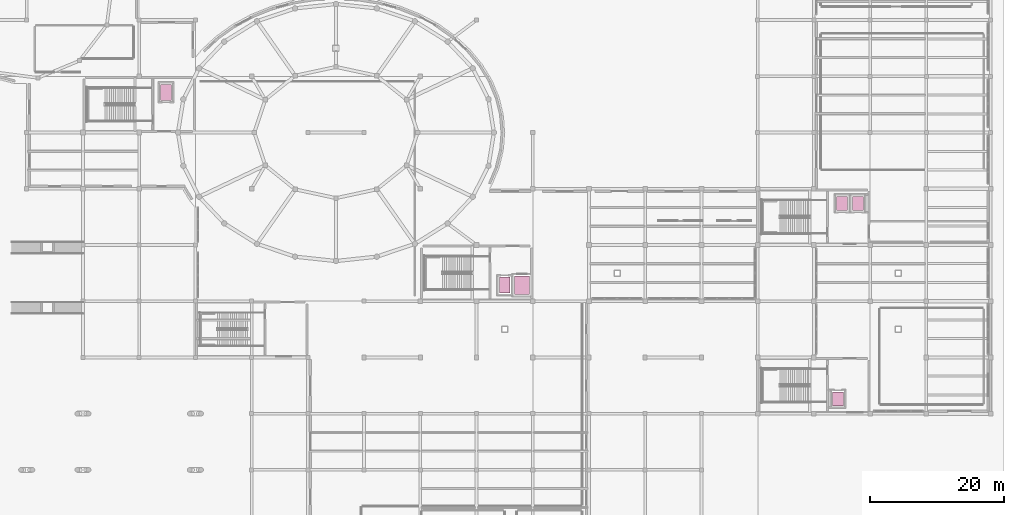
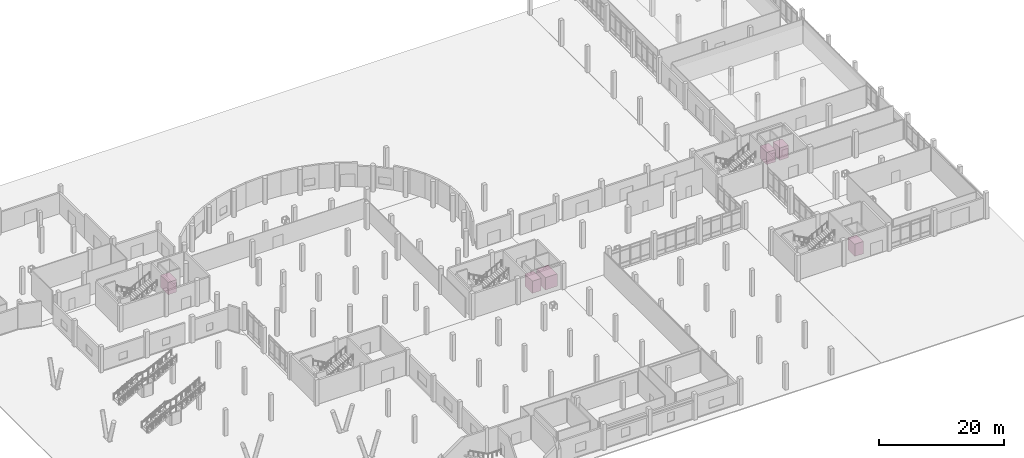
# One storey, part 64 of 64: 6 transport elements.
"""IFC4 building model written with IfcOpenShell, lengths in metres."""

import ifcopenshell
import ifcopenshell.guid

model = None  # the IFC model being written
_history = None  # IfcOwnerHistory: only IFC2X3 demands one
_inside = {}  # id of a spatial element -> (the spatial element, [elements in it])
_under = {}  # id of a project, library or spatial element -> (it, [spatial elements below it])
_declared = {}  # id of a project -> (the project, [libraries it declares])
_typed = {}  # id of a type object -> (the type object, [elements of that type])
_made_of = {}  # id of a material, layer set ... -> (it, [elements and type objects made of it])


def new_model(schema):
    """Start an empty IFC model of exactly this schema.

    Asked for "IFC4X3", IfcOpenShell would pick the latest addendum, in which some entities
    have other attributes; the version numbers below select the first issue.
    IFC2X3 requires an IfcOwnerHistory on every rooted entity: one is made here for all.
    """
    global model, _history
    if schema == "IFC4X3":
        model = ifcopenshell.file(schema_version=(4, 3, 0, 0))
    else:
        model = ifcopenshell.file(schema=schema)
    _inside.clear()
    _under.clear()
    _declared.clear()
    _typed.clear()
    _made_of.clear()
    _history = None
    if model.schema == "IFC2X3":
        org = make("IfcOrganization", Name="unknown")
        user = make(
            "IfcPersonAndOrganization",
            ThePerson=make("IfcPerson", FamilyName="unknown"),
            TheOrganization=org,
        )
        app = make(
            "IfcApplication",
            ApplicationDeveloper=org,
            Version="unknown",
            ApplicationFullName="unknown",
            ApplicationIdentifier="unknown",
        )
        _history = make(
            "IfcOwnerHistory",
            OwningUser=user,
            OwningApplication=app,
            ChangeAction="ADDED",
            CreationDate=0,
        )
    return model


def make(cls, **values):
    """One entity of the class cls with the attributes given. An attribute that is None is left unset."""
    return model.create_entity(
        cls, **{name: value for name, value in values.items() if value is not None}
    )


def rooted(cls, **values):
    """An entity with a GlobalId (a new one), such as an element, a storey or a relation."""
    return make(cls, GlobalId=ifcopenshell.guid.new(), OwnerHistory=_history, **values)


def si_unit(unit_type, name, prefix=None):
    """IfcSIUnit, for example si_unit("LENGTHUNIT", "METRE", prefix="MILLI")."""
    return make("IfcSIUnit", UnitType=unit_type, Prefix=prefix, Name=name)


def derived_unit(unit_type, elements):
    """IfcDerivedUnit: a product of units, each with its exponent."""
    return make(
        "IfcDerivedUnit",
        Elements=[
            make("IfcDerivedUnitElement", Unit=unit, Exponent=power)
            for unit, power in elements
        ],
        UnitType=unit_type,
    )


def assignment(units):
    """IfcUnitAssignment: the units of a project."""
    return None if units is None else make("IfcUnitAssignment", Units=units)


def point(xyz):
    """IfcCartesianPoint."""
    return None if xyz is None else make("IfcCartesianPoint", Coordinates=xyz)


def direction(xyz):
    """IfcDirection."""
    return None if xyz is None else make("IfcDirection", DirectionRatios=xyz)


def frame(location, z_axis=None, x_axis=None):
    """IfcAxis2Placement3D, a coordinate frame: its origin and axes. An axis left out is left unset."""
    return make(
        "IfcAxis2Placement3D",
        Location=point(location),
        Axis=direction(z_axis),
        RefDirection=direction(x_axis),
    )


def frame_2d(location, x_axis=None):
    """IfcAxis2Placement2D, a coordinate frame in the plane: its origin and x axis."""
    return make(
        "IfcAxis2Placement2D", Location=point(location), RefDirection=direction(x_axis)
    )


def origin():
    """The frame at (0, 0, 0) with its axes left unset."""
    return frame((0.0, 0.0, 0.0))


def origin_2d():
    """The frame at (0, 0) in the plane with its x axis left unset."""
    return frame_2d((0.0, 0.0))


def place(relative_to, where):
    """IfcLocalPlacement: puts the frame where relative to a parent placement (None: the world)."""
    return make(
        "IfcLocalPlacement", PlacementRelTo=relative_to, RelativePlacement=where
    )


def context(
    kind, dimensions, precision=None, world=None, true_north=None, identifier=None
):
    """IfcGeometricRepresentationContext, for example the 3D "Model" context."""
    return make(
        "IfcGeometricRepresentationContext",
        ContextIdentifier=identifier,
        ContextType=kind,
        CoordinateSpaceDimension=dimensions,
        Precision=precision,
        WorldCoordinateSystem=world,
        TrueNorth=true_north,
    )


def subcontext(parent, identifier, kind, view, scale=None):
    """IfcGeometricRepresentationSubContext, for example "Body" below "Model"."""
    return make(
        "IfcGeometricRepresentationSubContext",
        ContextIdentifier=identifier,
        ContextType=kind,
        ParentContext=parent,
        TargetScale=scale,
        TargetView=view,
    )


def project(units=None, contexts=None):
    """IfcProject with its units and contexts."""
    return rooted(
        "IfcProject",
        Name="project",
        RepresentationContexts=contexts,
        UnitsInContext=assignment(units),
    )


def spatial(cls, under=None, at=None, **own):
    """A site, building, storey or space (cls), placed at a placement, below another one or the project."""
    s = rooted(cls, ObjectPlacement=at, **own)
    if under is not None:
        _under.setdefault(under.id(), (under, []))[1].append(s)
    return s


def profile(cls, at=None, kind="AREA", **sizes):
    """A parametric profile (cls). Its sizes go by their IFC names, for example OverallWidth=200.0."""
    return make(cls, ProfileType=kind, Position=at, **sizes)


def rectangle(**sizes):
    """IfcRectangleProfileDef."""
    return profile("IfcRectangleProfileDef", **sizes)


def extrude(swept, where, along, depth):
    """IfcExtrudedAreaSolid: the profile swept, set in the frame where, extruded along a direction by depth."""
    return make(
        "IfcExtrudedAreaSolid",
        SweptArea=swept,
        Position=where,
        ExtrudedDirection=direction(along),
        Depth=depth,
    )


def shape(context_of_items, identifier, shape_type, items):
    """IfcShapeRepresentation: the items that make up one representation, for example the "Body"."""
    return make(
        "IfcShapeRepresentation",
        ContextOfItems=context_of_items,
        RepresentationIdentifier=identifier,
        RepresentationType=shape_type,
        Items=items,
    )


def material(Name=None, Category=None):
    """IfcMaterial."""
    return make("IfcMaterial", Name=Name, Category=Category)


def made_of(thing, what):
    """Note that an element or type object is made of a material, layer set ...; save() writes the relation."""
    if what is not None:
        _made_of.setdefault(what.id(), (what, []))[1].append(thing)
    return thing


def type_object(cls, material=None, **own):
    """A type object (cls), such as IfcWallType, which elements share."""
    return made_of(rooted(cls, **own), material)


def element(
    cls,
    number,
    at=None,
    inside=None,
    cuts=None,
    type_object=None,
    material=None,
    context=None,
    identifier="Body",
    shape_type=None,
    held_by="IfcProductDefinitionShape",
    body=None,
    shapes=None,
    **own,
):
    """One element of the class cls, such as IfcWall. Its Tag is "e" and its number.

    at: its placement. inside: the storey or other place that contains it. cuts: it is an
    opening in that element (IfcRelVoidsElement). A single representation is given by context,
    identifier, shape_type and body (its items); several are given by shapes. held_by: the class
    of the entity that holds the representations. save() writes the other relations.
    """
    e = rooted(cls, Tag="e%d" % number, ObjectPlacement=at, **own)
    if body is not None:
        shapes = [shape(context, identifier, shape_type, body)]
    if shapes is not None:
        e.Representation = make(held_by, Representations=shapes)
    if inside is not None:
        _inside.setdefault(inside.id(), (inside, []))[1].append(e)
    if cuts is not None:
        rooted(
            "IfcRelVoidsElement", RelatingBuildingElement=cuts, RelatedOpeningElement=e
        )
    if type_object is not None:
        _typed.setdefault(type_object.id(), (type_object, []))[1].append(e)
    return made_of(e, material)


def aggregate(whole, parts):
    """IfcRelAggregates: a whole, such as a stair, and the parts it consists of."""
    return rooted("IfcRelAggregates", RelatingObject=whole, RelatedObjects=parts)


def save(model, path):
    """Write the relations noted so far, then the file.

    IfcRelAggregates (storeys below a building ...), IfcRelContainedInSpatialStructure (elements
    in a storey), IfcRelDefinesByType, IfcRelAssociatesMaterial and IfcRelDeclares: one each for
    every whole, place, type object, material and project.
    """
    for whole, parts in _under.values():
        aggregate(whole, parts)
    for where, things in _inside.values():
        rooted(
            "IfcRelContainedInSpatialStructure",
            RelatedElements=things,
            RelatingStructure=where,
        )
    for kind, things in _typed.values():
        rooted("IfcRelDefinesByType", RelatedObjects=things, RelatingType=kind)
    for what, things in _made_of.values():
        rooted("IfcRelAssociatesMaterial", RelatedObjects=things, RelatingMaterial=what)
    for by, libraries in _declared.values():
        rooted("IfcRelDeclares", RelatingContext=by, RelatedDefinitions=libraries)
    model.write(path)


model = new_model("IFC4")

# Units and contexts
model_context = context("Model", 3, precision=1e-05, world=origin(), true_north=direction((0.0, 1.0)))
body_context = subcontext(model_context, "Body", "Model", "MODEL_VIEW")
ifc_project = project(units=[si_unit("LENGTHUNIT", "METRE"), si_unit("AREAUNIT", "SQUARE_METRE"), si_unit("VOLUMEUNIT", "CUBIC_METRE"), si_unit("PLANEANGLEUNIT", "RADIAN"), si_unit("MASSUNIT", "GRAM", prefix="KILO"), derived_unit("THERMALTRANSMITTANCEUNIT", [(si_unit("POWERUNIT", "WATT"), 1), (si_unit("LENGTHUNIT", "METRE"), -2), (si_unit("THERMODYNAMICTEMPERATUREUNIT", "KELVIN"), -1)])], contexts=[model_context])

# Site, building, storey
site_placement = place(None, origin())
site = spatial("IfcSite", under=ifc_project, at=site_placement, CompositionType="ELEMENT")
building_placement = place(site_placement, origin())
building = spatial("IfcBuilding", under=site, at=building_placement, Name="Elbkamm Science Centre", CompositionType="ELEMENT")
storey_placement = place(building_placement, origin())
storey = spatial("IfcBuildingStorey", under=building, at=storey_placement, Name="L00", CompositionType="ELEMENT", Elevation=0.0)

# Transport elements
ifc_material = material(Name="Stainless steel EN 1.4401", Category="steel")
transport_element_type_1 = type_object("IfcTransportElementType", Name="LIFT-FF-1600x2400", PredefinedType="ELEVATOR", material=ifc_material)
for number, where, z_axis, x_axis, name in (
    (1, (37.60009765625, 73.199951171875, 0.0), (0.0, 0.0, 1.0), (1.0, 0.0, 0.0), "Firefighting and Stretcher Lift FF1"),
    (2, (88.199951171875, 44.39990234375, 0.0), (0.0, 0.0, 1.0), (1.0, 0.0, 0.0), "Firefighting and Stretcher Lift FF2"),
):
    element("IfcTransportElement", number, at=place(storey_placement, frame(where, z_axis=z_axis, x_axis=x_axis)), inside=storey, type_object=transport_element_type_1, Name=name, PredefinedType="ELEVATOR", context=body_context, shape_type="SweptSolid", body=[
        extrude(rectangle(XDim=1.60009765625, YDim=2.39990234375, at=origin_2d()), origin(), (0.0, 0.0, 1.0), 2.39990234375),
    ])
transport_element_type_2 = type_object("IfcTransportElementType", Name="LIFT-FRT-2200x2800", PredefinedType="ELEVATOR", material=ifc_material)
transport_element_placement = place(storey_placement, frame((90.800048828125, 44.39990234375, 0.0), z_axis=(0.0, 0.0, 1.0), x_axis=(1.0, 0.0, 0.0)))
element("IfcTransportElement", 3, at=transport_element_placement, inside=storey, type_object=transport_element_type_2, Name="Heavy Exhibit Freight Lift GL1", PredefinedType="ELEVATOR", context=body_context, shape_type="SweptSolid", body=[
    extrude(rectangle(XDim=2.199951171875, YDim=2.800048828125, at=origin_2d()), origin(), (0.0, 0.0, 1.0), 2.39990234375),
])
transport_element_type_3 = type_object("IfcTransportElementType", Name="LIFT-PAX-1600x2100", PredefinedType="ELEVATOR", material=ifc_material)
for number, where, z_axis, x_axis, name in (
    (4, (138.60009765625, 56.60009765625, 0.0), (0.0, 0.0, 1.0), (1.0, 0.0, 0.0), "Passenger Lift LP1"),
    (5, (141.0, 56.60009765625, 0.0), (0.0, 0.0, 1.0), (1.0, 0.0, 0.0), "Passenger Lift LP2"),
    (6, (138.0, 27.39990234375, 0.0), (0.0, 0.0, 1.0), (1.0, 0.0, 0.0), "Passenger Lift LP3"),
):
    element("IfcTransportElement", number, at=place(storey_placement, frame(where, z_axis=z_axis, x_axis=x_axis)), inside=storey, type_object=transport_element_type_3, Name=name, PredefinedType="ELEVATOR", context=body_context, shape_type="SweptSolid", body=[
        extrude(rectangle(XDim=1.60009765625, YDim=2.10009765625, at=origin_2d()), origin(), (0.0, 0.0, 1.0), 2.39990234375),
    ])

save(model, "model.ifc")
